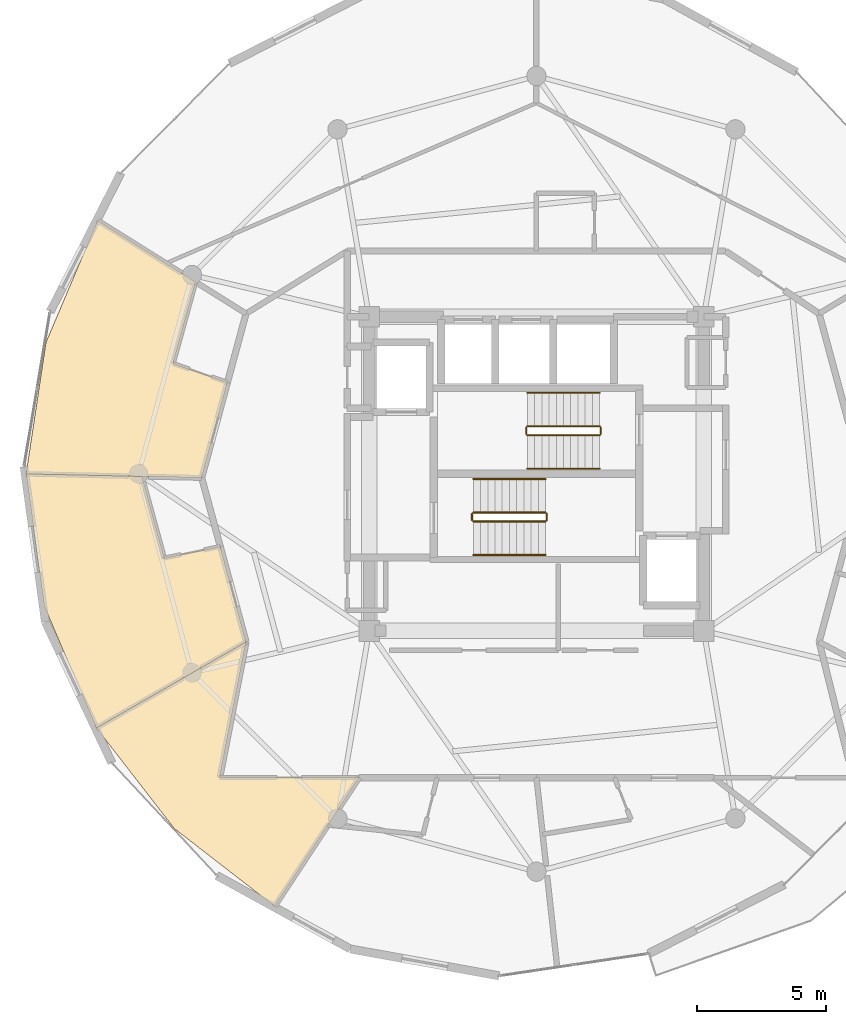
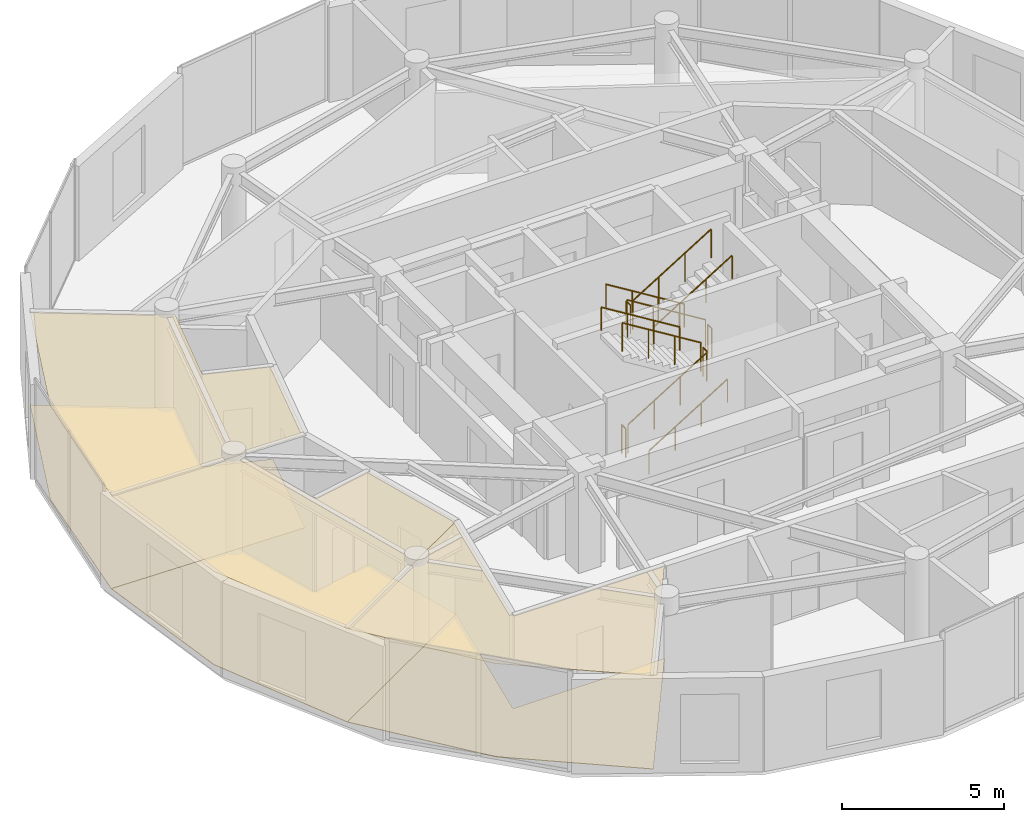
# One storey, part 22 of 23: 12 railings, 6 coverings.
"""IFC4 building model written with IfcOpenShell, lengths in metres."""

from ifc_helpers import new_model, si_unit, direction, frame, origin, origin_2d, place, context, subcontext, project, spatial, polyline, circle, outline, extrude, material, layer, layer_set, type_object, element, save


model = new_model("IFC4")

# Units and contexts
model_context = context("Model", 3, precision=1e-05, world=origin(), true_north=direction((0.0, 1.0)))
body_context = subcontext(model_context, "Body", "Model", "MODEL_VIEW")
ifc_project = project(units=[si_unit("LENGTHUNIT", "METRE"), si_unit("AREAUNIT", "SQUARE_METRE"), si_unit("VOLUMEUNIT", "CUBIC_METRE"), si_unit("PLANEANGLEUNIT", "RADIAN"), si_unit("MASSUNIT", "GRAM", prefix="KILO")], contexts=[model_context])

# Site, building, storey
site_placement = place(None, origin())
site = spatial("IfcSite", under=ifc_project, at=site_placement, CompositionType="ELEMENT")
building_placement = place(site_placement, origin())
building = spatial("IfcBuilding", under=site, at=building_placement, Name="Solvirekh Grand Hotel", CompositionType="ELEMENT")
storey_placement = place(building_placement, frame((0.0, 0.0, 282.0)))
storey = spatial("IfcBuildingStorey", under=building, at=storey_placement, Name="L73", CompositionType="ELEMENT", Elevation=282.0)

# Coverings
ifc_material_1 = material(Name="Acoustic Mineral Ceiling Tile")
ifc_layer_1 = layer(ifc_material_1, 0.02490234375)
ifc_layer_set_1 = layer_set([ifc_layer_1], Name="Acoustic Mineral Ceiling Tile")
covering_type_1 = type_object("IfcCoveringType", Name="Cov_Ceiling_Acoustic", PredefinedType="CEILING", material=ifc_layer_set_1)
covering_1_placement = place(storey_placement, frame((0.0, 0.0, 3.52001953125)))
element("IfcCovering", 1, at=covering_1_placement, inside=storey, type_object=covering_type_1, Name="L73 Deluxe Guestroom 7502 acoustic ceiling", PredefinedType="CEILING", context=body_context, shape_type="SweptSolid", body=[
    extrude(outline(polyline([(-14.111083984375, 4.281005859375), (-13.237060546875, 7.452880859375), (-17.041015625, 9.837890625), (-19.048095703125, 5.10400390625), (-19.819091796875, 0.0), (-13.0, -0.14990234375), (-12.0009765625, 3.547119140625), (-14.111083984375, 4.281005859375)])), origin(), (0.0, 0.0, 1.0), 0.01806640625),
])
covering_2_placement = place(storey_placement, frame((0.0, 0.0, 3.52001953125)))
element("IfcCovering", 2, at=covering_2_placement, inside=storey, type_object=covering_type_1, Name="L73 Deluxe Guestroom 7503 acoustic ceiling", PredefinedType="CEILING", context=body_context, shape_type="SweptSolid", body=[
    extrude(outline(polyline([(-14.451904296875, -3.27490234375), (-15.318115234375, -0.09912109375), (-19.819091796875, 0.0), (-19.118896484375, -5.123046875), (-17.090087890625, -9.866943359375), (-11.278076171875, -6.52490234375), (-12.277099609375, -2.826904296875), (-14.451904296875, -3.27490234375)])), origin(), (0.0, 0.0, 1.0), 0.01806640625),
])
covering_3_placement = place(storey_placement, frame((0.0, 0.0, 3.52001953125)))
element("IfcCovering", 3, at=covering_3_placement, inside=storey, type_object=covering_type_1, Name="L73 L73 Kremlin View Lounge acoustic ceiling", PredefinedType="CEILING", context=body_context, shape_type="SweptSolid", body=[
    extrude(outline(polyline([(-17.090087890625, -9.866943359375), (-14.06494140625, -13.77294921875), (-10.1689453125, -16.7919921875), (-6.887939453125, -11.800048828125), (-12.300048828125, -11.800048828125), (-11.278076171875, -6.52490234375), (-17.090087890625, -9.866943359375)])), origin(), (0.0, 0.0, 1.0), 0.01806640625),
])
ifc_material_2 = material(Name="Porcelain Stoneware Flooring", Category="masonry")
ifc_layer_2 = layer(ifc_material_2, 0.030029296875)
ifc_layer_set_2 = layer_set([ifc_layer_2], Name="Porcelain Stoneware Flooring")
covering_type_2 = type_object("IfcCoveringType", Name="Cov_Floor_Stone", PredefinedType="FLOORING", material=ifc_layer_set_2)
covering_4_placement = place(storey_placement, origin())
element("IfcCovering", 4, at=covering_4_placement, inside=storey, type_object=covering_type_2, Name="L73 Deluxe Guestroom 7502 polished granite flooring", PredefinedType="FLOORING", context=body_context, shape_type="SweptSolid", body=[
    extrude(outline(polyline([(-14.111083984375, 4.281005859375), (-13.237060546875, 7.452880859375), (-17.041015625, 9.837890625), (-19.048095703125, 5.10400390625), (-19.819091796875, 0.0), (-13.0, -0.14990234375), (-12.0009765625, 3.547119140625), (-14.111083984375, 4.281005859375)])), origin(), (0.0, 0.0, 1.0), 0.02001953125),
])
covering_5_placement = place(storey_placement, origin())
element("IfcCovering", 5, at=covering_5_placement, inside=storey, type_object=covering_type_2, Name="L73 Deluxe Guestroom 7503 polished granite flooring", PredefinedType="FLOORING", context=body_context, shape_type="SweptSolid", body=[
    extrude(outline(polyline([(-14.451904296875, -3.27490234375), (-15.318115234375, -0.09912109375), (-19.819091796875, 0.0), (-19.118896484375, -5.123046875), (-17.090087890625, -9.866943359375), (-11.278076171875, -6.52490234375), (-12.277099609375, -2.826904296875), (-14.451904296875, -3.27490234375)])), origin(), (0.0, 0.0, 1.0), 0.02001953125),
])
covering_6_placement = place(storey_placement, origin())
element("IfcCovering", 6, at=covering_6_placement, inside=storey, type_object=covering_type_2, Name="L73 L73 Kremlin View Lounge polished granite flooring", PredefinedType="FLOORING", context=body_context, shape_type="SweptSolid", body=[
    extrude(outline(polyline([(-17.090087890625, -9.866943359375), (-14.06494140625, -13.77294921875), (-10.1689453125, -16.7919921875), (-6.887939453125, -11.800048828125), (-12.300048828125, -11.800048828125), (-11.278076171875, -6.52490234375), (-17.090087890625, -9.866943359375)])), origin(), (0.0, 0.0, 1.0), 0.02001953125),
])

# Railings
ifc_material_3 = material(Name="Steel S355", Category="steel")
railing_type_1 = type_object("IfcRailingType", Name="Guard_Stair_1100", PredefinedType="GUARDRAIL", material=ifc_material_3)
railing_1_placement = place(storey_placement, frame((-2.449951171875, -1.85009765625, 0.172607421875)))
element("IfcRailing", 7, at=railing_1_placement, inside=storey, type_object=railing_type_1, Name="L73 ST-1 stair guard 1", PredefinedType="GUARDRAIL", context=body_context, shape_type="SweptSolid", body=[
    extrude(circle(Radius=0.02392578125, at=origin_2d()), frame((0.0, 0.0, 1.076171875), z_axis=(0.851089632645, 0.0, 0.525020415988), x_axis=(0.0, 1.0, 0.0)), (0.0, 0.0, 1.0), 3.2900390625),
    extrude(circle(Radius=0.02099609375, at=origin_2d()), origin(), (0.0, 0.0, 1.0), 1.052001953125),
    extrude(circle(Radius=0.02099609375, at=origin_2d()), frame((0.933349609375, 0.0, 0.57568359375)), (0.0, 0.0, 1.0), 1.052001953125),
    extrude(circle(Radius=0.02099609375, at=origin_2d()), frame((1.86669921875, 0.0, 1.151611328125)), (0.0, 0.0, 1.0), 1.052001953125),
    extrude(circle(Radius=0.02099609375, at=origin_2d()), frame((2.800048828125, 0.0, 1.727294921875)), (0.0, 0.0, 1.0), 1.052001953125),
])
railing_2_placement = place(storey_placement, frame((0.39990234375, -1.800048828125, 1.89990234375)))
element("IfcRailing", 8, at=railing_2_placement, inside=storey, type_object=railing_type_1, Name="L73 ST-1 stair guard 2", PredefinedType="GUARDRAIL", context=body_context, shape_type="SweptSolid", body=[
    extrude(circle(Radius=0.02392578125, at=origin_2d()), frame((0.0, 0.0, 1.076171875), z_axis=(0.0, 1.0, 0.0), x_axis=(-1.0, 0.0, 0.0)), (0.0, 0.0, 1.0), 0.25),
    extrude(circle(Radius=0.02099609375, at=origin_2d()), origin(), (0.0, 0.0, 1.0), 1.052001953125),
    extrude(circle(Radius=0.02099609375, at=origin_2d()), frame((0.0, 0.25, 0.0)), (0.0, 0.0, 1.0), 1.052001953125),
])
railing_3_placement = place(storey_placement, frame((0.35009765625, -1.5, 2.07275390625)))
element("IfcRailing", 9, at=railing_3_placement, inside=storey, type_object=railing_type_1, Name="L73 ST-1 stair guard 3", PredefinedType="GUARDRAIL", context=body_context, shape_type="SweptSolid", body=[
    extrude(circle(Radius=0.02392578125, at=origin_2d()), frame((0.0, 0.0, 1.076171875), z_axis=(-0.851089632645, 0.0, 0.525020415988), x_axis=(0.0, -1.0, 0.0)), (0.0, 0.0, 1.0), 3.2900390625),
    extrude(circle(Radius=0.02099609375, at=origin_2d()), origin(), (0.0, 0.0, 1.0), 1.052001953125),
    extrude(circle(Radius=0.02099609375, at=origin_2d()), frame((-0.933349609375, 0.0, 0.57568359375)), (0.0, 0.0, 1.0), 1.052001953125),
    extrude(circle(Radius=0.02099609375, at=origin_2d()), frame((-1.86669921875, 0.0, 1.151611328125)), (0.0, 0.0, 1.0), 1.052001953125),
    extrude(circle(Radius=0.02099609375, at=origin_2d()), frame((-2.800048828125, 0.0, 1.727294921875)), (0.0, 0.0, 1.0), 1.052001953125),
])
railing_4_placement = place(storey_placement, frame((-2.5, -1.800048828125, 0.0)))
element("IfcRailing", 10, at=railing_4_placement, inside=storey, type_object=railing_type_1, Name="L73 ST-1 stair guard 4", PredefinedType="GUARDRAIL", context=body_context, shape_type="SweptSolid", body=[
    extrude(circle(Radius=0.02392578125, at=origin_2d()), frame((0.0, 0.0, 1.076171875), z_axis=(0.0, 1.0, 0.0), x_axis=(-1.0, 0.0, 0.0)), (0.0, 0.0, 1.0), 0.25),
    extrude(circle(Radius=0.02099609375, at=origin_2d()), origin(), (0.0, 0.0, 1.0), 1.052001953125),
    extrude(circle(Radius=0.02099609375, at=origin_2d()), frame((0.0, 0.25, 0.0)), (0.0, 0.0, 1.0), 1.052001953125),
])
railing_5_placement = place(storey_placement, frame((2.449951171875, 1.85009765625, 0.172607421875)))
element("IfcRailing", 11, at=railing_5_placement, inside=storey, type_object=railing_type_1, Name="L73 ST-2 stair guard 1", PredefinedType="GUARDRAIL", context=body_context, shape_type="SweptSolid", body=[
    extrude(circle(Radius=0.02392578125, at=origin_2d()), frame((0.0, 0.0, 1.076171875), z_axis=(-0.851089632645, 0.0, 0.525020415988), x_axis=(0.0, -1.0, 0.0)), (0.0, 0.0, 1.0), 3.2900390625),
    extrude(circle(Radius=0.02099609375, at=origin_2d()), origin(), (0.0, 0.0, 1.0), 1.052001953125),
    extrude(circle(Radius=0.02099609375, at=origin_2d()), frame((-0.933349609375, 0.0, 0.57568359375)), (0.0, 0.0, 1.0), 1.052001953125),
    extrude(circle(Radius=0.02099609375, at=origin_2d()), frame((-1.86669921875, 0.0, 1.151611328125)), (0.0, 0.0, 1.0), 1.052001953125),
    extrude(circle(Radius=0.02099609375, at=origin_2d()), frame((-2.800048828125, 0.0, 1.727294921875)), (0.0, 0.0, 1.0), 1.052001953125),
])
railing_6_placement = place(storey_placement, frame((-0.39990234375, 1.800048828125, 1.89990234375)))
element("IfcRailing", 12, at=railing_6_placement, inside=storey, type_object=railing_type_1, Name="L73 ST-2 stair guard 2", PredefinedType="GUARDRAIL", context=body_context, shape_type="SweptSolid", body=[
    extrude(circle(Radius=0.02392578125, at=origin_2d()), frame((0.0, 0.0, 1.076171875), z_axis=(0.0, -1.0, 0.0), x_axis=(1.0, 0.0, 0.0)), (0.0, 0.0, 1.0), 0.25),
    extrude(circle(Radius=0.02099609375, at=origin_2d()), origin(), (0.0, 0.0, 1.0), 1.052001953125),
    extrude(circle(Radius=0.02099609375, at=origin_2d()), frame((0.0, -0.25, 0.0)), (0.0, 0.0, 1.0), 1.052001953125),
])
railing_7_placement = place(storey_placement, frame((-0.35009765625, 1.5, 2.07275390625)))
element("IfcRailing", 13, at=railing_7_placement, inside=storey, type_object=railing_type_1, Name="L73 ST-2 stair guard 3", PredefinedType="GUARDRAIL", context=body_context, shape_type="SweptSolid", body=[
    extrude(circle(Radius=0.02392578125, at=origin_2d()), frame((0.0, 0.0, 1.076171875), z_axis=(0.851089632645, 0.0, 0.525020415988), x_axis=(0.0, 1.0, 0.0)), (0.0, 0.0, 1.0), 3.2900390625),
    extrude(circle(Radius=0.02099609375, at=origin_2d()), origin(), (0.0, 0.0, 1.0), 1.052001953125),
    extrude(circle(Radius=0.02099609375, at=origin_2d()), frame((0.933349609375, 0.0, 0.57568359375)), (0.0, 0.0, 1.0), 1.052001953125),
    extrude(circle(Radius=0.02099609375, at=origin_2d()), frame((1.86669921875, 0.0, 1.151611328125)), (0.0, 0.0, 1.0), 1.052001953125),
    extrude(circle(Radius=0.02099609375, at=origin_2d()), frame((2.800048828125, 0.0, 1.727294921875)), (0.0, 0.0, 1.0), 1.052001953125),
])
railing_8_placement = place(storey_placement, frame((2.5, 1.800048828125, 0.0)))
element("IfcRailing", 14, at=railing_8_placement, inside=storey, type_object=railing_type_1, Name="L73 ST-2 stair guard 4", PredefinedType="GUARDRAIL", context=body_context, shape_type="SweptSolid", body=[
    extrude(circle(Radius=0.02392578125, at=origin_2d()), frame((0.0, 0.0, 1.076171875), z_axis=(0.0, -1.0, 0.0), x_axis=(1.0, 0.0, 0.0)), (0.0, 0.0, 1.0), 0.25),
    extrude(circle(Radius=0.02099609375, at=origin_2d()), origin(), (0.0, 0.0, 1.0), 1.052001953125),
    extrude(circle(Radius=0.02099609375, at=origin_2d()), frame((0.0, -0.25, 0.0)), (0.0, 0.0, 1.0), 1.052001953125),
])
ifc_material_4 = material(Name="Anodized Bronze Aluminium 6063-T6", Category="aluminium")
railing_type_2 = type_object("IfcRailingType", Name="Handrail_Wall_900", PredefinedType="HANDRAIL", material=ifc_material_4)
railing_9_placement = place(storey_placement, frame((-2.449951171875, -3.14990234375, 0.172607421875)))
element("IfcRailing", 15, at=railing_9_placement, inside=storey, type_object=railing_type_2, Name="L73 ST-1 stair handrail 1", PredefinedType="HANDRAIL", context=body_context, shape_type="SweptSolid", body=[
    extrude(circle(Radius=0.02392578125, at=origin_2d()), frame((0.0, 0.0, 0.8759765625), z_axis=(0.851089632645, 0.0, 0.525020415988), x_axis=(0.0, 1.0, 0.0)), (0.0, 0.0, 1.0), 3.2900390625),
    extrude(circle(Radius=0.02099609375, at=origin_2d()), origin(), (0.0, 0.0, 1.0), 0.851806640625),
    extrude(circle(Radius=0.02099609375, at=origin_2d()), frame((0.933349609375, 0.0, 0.57568359375)), (0.0, 0.0, 1.0), 0.851806640625),
    extrude(circle(Radius=0.02099609375, at=origin_2d()), frame((1.86669921875, 0.0, 1.151611328125)), (0.0, 0.0, 1.0), 0.851806640625),
    extrude(circle(Radius=0.02099609375, at=origin_2d()), frame((2.800048828125, 0.0, 1.727294921875)), (0.0, 0.0, 1.0), 0.851806640625),
])
for number, where, name in (
    (16, (0.35009765625, -0.199951171875, 2.07275390625), "L73 ST-1 stair handrail 2"),
    (17, (2.449951171875, 3.14990234375, 0.172607421875), "L73 ST-2 stair handrail 1"),
):
    element("IfcRailing", number, at=place(storey_placement, frame(where)), inside=storey, type_object=railing_type_2, Name=name, PredefinedType="HANDRAIL", context=body_context, shape_type="SweptSolid", body=[
        extrude(circle(Radius=0.02392578125, at=origin_2d()), frame((0.0, 0.0, 0.8759765625), z_axis=(-0.851089632645, 0.0, 0.525020415988), x_axis=(0.0, -1.0, 0.0)), (0.0, 0.0, 1.0), 3.2900390625),
        extrude(circle(Radius=0.02099609375, at=origin_2d()), origin(), (0.0, 0.0, 1.0), 0.851806640625),
        extrude(circle(Radius=0.02099609375, at=origin_2d()), frame((-0.933349609375, 0.0, 0.57568359375)), (0.0, 0.0, 1.0), 0.851806640625),
        extrude(circle(Radius=0.02099609375, at=origin_2d()), frame((-1.86669921875, 0.0, 1.151611328125)), (0.0, 0.0, 1.0), 0.851806640625),
        extrude(circle(Radius=0.02099609375, at=origin_2d()), frame((-2.800048828125, 0.0, 1.727294921875)), (0.0, 0.0, 1.0), 0.851806640625),
    ])
railing_10_placement = place(storey_placement, frame((-0.35009765625, 0.199951171875, 2.07275390625)))
element("IfcRailing", 18, at=railing_10_placement, inside=storey, type_object=railing_type_2, Name="L73 ST-2 stair handrail 2", PredefinedType="HANDRAIL", context=body_context, shape_type="SweptSolid", body=[
    extrude(circle(Radius=0.02392578125, at=origin_2d()), frame((0.0, 0.0, 0.8759765625), z_axis=(0.851089632645, 0.0, 0.525020415988), x_axis=(0.0, 1.0, 0.0)), (0.0, 0.0, 1.0), 3.2900390625),
    extrude(circle(Radius=0.02099609375, at=origin_2d()), origin(), (0.0, 0.0, 1.0), 0.851806640625),
    extrude(circle(Radius=0.02099609375, at=origin_2d()), frame((0.933349609375, 0.0, 0.57568359375)), (0.0, 0.0, 1.0), 0.851806640625),
    extrude(circle(Radius=0.02099609375, at=origin_2d()), frame((1.86669921875, 0.0, 1.151611328125)), (0.0, 0.0, 1.0), 0.851806640625),
    extrude(circle(Radius=0.02099609375, at=origin_2d()), frame((2.800048828125, 0.0, 1.727294921875)), (0.0, 0.0, 1.0), 0.851806640625),
])

save(model, "model.ifc")
